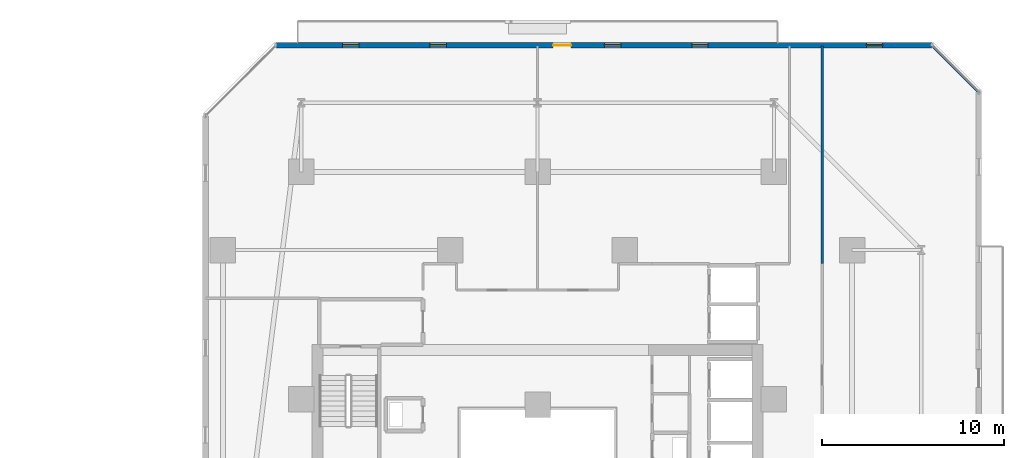
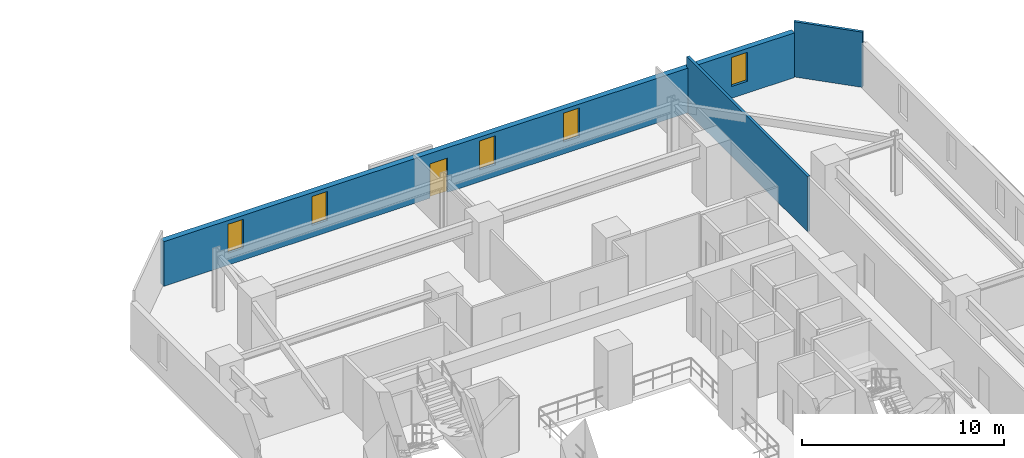
# One storey, part 27 of 34: 5 windows, 3 walls, 1 door, 6 openings.
"""IFC4 building model written with IfcOpenShell, lengths in metres."""

from ifc_helpers import new_model, si_unit, direction, frame, frame_2d, origin, place, context, subcontext, project, spatial, rectangle, extrude, material, layer, layer_set, type_object, element, fill, save


model = new_model("IFC4")

# Units and contexts
model_context = context("Model", 3, precision=1e-05, world=origin(), true_north=direction((0.0, 1.0)))
body_context = subcontext(model_context, "Body", "Model", "MODEL_VIEW")
ifc_project = project(units=[si_unit("LENGTHUNIT", "METRE"), si_unit("AREAUNIT", "SQUARE_METRE"), si_unit("VOLUMEUNIT", "CUBIC_METRE"), si_unit("PLANEANGLEUNIT", "RADIAN"), si_unit("MASSUNIT", "GRAM", prefix="KILO")], contexts=[model_context])

# Site, building, storey
site_placement = place(None, origin())
site = spatial("IfcSite", under=ifc_project, at=site_placement, CompositionType="ELEMENT")
building_placement = place(site_placement, origin())
building = spatial("IfcBuilding", under=site, at=building_placement, Name="Thornwick Lancets Civic Towers", CompositionType="ELEMENT")
storey_placement = place(building_placement, frame((0.0, 0.0, 53.699951171875)))
storey = spatial("IfcBuildingStorey", under=building, at=storey_placement, Name="L13", CompositionType="ELEMENT", Elevation=53.699951171875)

# Wall, openings, door, windows
ifc_material_1 = material(Name="Insulated buff terracotta rainscreen on concrete C40/50", Category="masonry")
ifc_layer_1 = layer(ifc_material_1, 0.320068359375, Name="Insulated buff terracotta rainscreen on concrete C40/50")
ifc_layer_set_1 = layer_set([ifc_layer_1], Name="Insulated buff terracotta rainscreen on concrete C40/50")
wall_type_1 = type_object("IfcWallType", Name="WALL_EXT_TERRA_320", PredefinedType="STANDARD", material=ifc_layer_set_1)
wall_1_placement = place(storey_placement, frame((110.18115234375, 51.264892578125, 0.0), z_axis=(0.0, 0.0, 1.0), x_axis=(-0.999999992574, -0.000121872777, 0.0)))
wall_1 = element("IfcWall", 1, at=wall_1_placement, inside=storey, type_object=wall_type_1, Name="L13 Tower B Terracotta Facade Wall E4", PredefinedType="STANDARD", context=body_context, shape_type="SweptSolid", body=[
    extrude(rectangle(XDim=36.058349609375, YDim=0.320068359375, at=frame_2d((18.029296875, 0.0))), origin(), (0.0, 0.0, 1.0), 2.699951171875),
])
opening_1_placement = place(wall_1_placement, frame((19.8291015625, 0.0, 0.0)))
opening_1 = element("IfcOpeningElement", 2, at=opening_1_placement, cuts=wall_1, Name="Opening D-BL-L13-BN", PredefinedType="OPENING", context=body_context, shape_type="SweptSolid", body=[
    extrude(rectangle(XDim=1.0, YDim=2.080078125, at=frame_2d((0.5, 1.0400390625))), frame((0.0, 0.169921875, 0.0), z_axis=(0.0, -1.0, 0.0), x_axis=(1.0, 0.0, 0.0)), (0.0, 0.0, 1.0), 0.340087890625),
])
opening_2_placement = place(wall_1_placement, frame((2.699951171875, 0.0, 0.719970703125)))
opening_2 = element("IfcOpeningElement", 3, at=opening_2_placement, cuts=wall_1, Name="Opening WL-01", PredefinedType="OPENING", context=body_context, shape_type="SweptSolid", body=[
    extrude(rectangle(XDim=0.89990234375, YDim=1.75, at=frame_2d((0.449951171875, 0.875))), frame((0.0, 0.169921875, 0.0), z_axis=(0.0, -1.0, 0.0), x_axis=(1.0, 0.0, 0.0)), (0.0, 0.0, 1.0), 0.340087890625),
])
opening_3_placement = place(wall_1_placement, frame((12.300048828125, 0.0, 0.719970703125)))
opening_3 = element("IfcOpeningElement", 4, at=opening_3_placement, cuts=wall_1, Name="Opening WL-01", PredefinedType="OPENING", context=body_context, shape_type="SweptSolid", body=[
    extrude(rectangle(XDim=0.89990234375, YDim=1.75, at=frame_2d((0.449951171875, 0.875))), frame((0.0, 0.169921875, 0.0), z_axis=(0.0, -1.0, 0.0), x_axis=(1.0, 0.0, 0.0)), (0.0, 0.0, 1.0), 0.340087890625),
])
opening_4_placement = place(wall_1_placement, frame((17.10009765625, 0.0, 0.719970703125)))
opening_4 = element("IfcOpeningElement", 5, at=opening_4_placement, cuts=wall_1, Name="Opening WL-01", PredefinedType="OPENING", context=body_context, shape_type="SweptSolid", body=[
    extrude(rectangle(XDim=0.89990234375, YDim=1.75, at=frame_2d((0.449951171875, 0.875))), frame((0.0, 0.169921875, 0.0), z_axis=(0.0, -1.0, 0.0), x_axis=(1.0, 0.0, 0.0)), (0.0, 0.0, 1.0), 0.340087890625),
])
opening_5_placement = place(wall_1_placement, frame((26.699951171875, 0.0, 0.719970703125)))
opening_5 = element("IfcOpeningElement", 6, at=opening_5_placement, cuts=wall_1, Name="Opening WL-01", PredefinedType="OPENING", context=body_context, shape_type="SweptSolid", body=[
    extrude(rectangle(XDim=0.89990234375, YDim=1.75, at=frame_2d((0.449951171875, 0.875))), frame((0.0, 0.169921875, 0.0), z_axis=(0.0, -1.0, 0.0), x_axis=(1.0, 0.0, 0.0)), (0.0, 0.0, 1.0), 0.340087890625),
])
opening_6_placement = place(wall_1_placement, frame((31.5, 0.0, 0.719970703125)))
opening_6 = element("IfcOpeningElement", 7, at=opening_6_placement, cuts=wall_1, Name="Opening WL-01", PredefinedType="OPENING", context=body_context, shape_type="SweptSolid", body=[
    extrude(rectangle(XDim=0.89990234375, YDim=1.75, at=frame_2d((0.449951171875, 0.875))), frame((0.0, 0.169921875, 0.0), z_axis=(0.0, -1.0, 0.0), x_axis=(1.0, 0.0, 0.0)), (0.0, 0.0, 1.0), 0.340087890625),
])
ifc_material_2 = material(Name="Thermally broken glazed loggia doorset")
door_type = type_object("IfcDoorType", Name="DOOR_BALC_1000", OperationType="NOTDEFINED", PredefinedType="DOOR", material=ifc_material_2)
door_placement = place(opening_1_placement, origin())
door = element("IfcDoor", 8, at=door_placement, inside=storey, type_object=door_type, Name="L13 Tower B Loggia Balcony Door N", OperationType="SINGLE_SWING_RIGHT", OverallHeight=2.080078125, OverallWidth=1.0, PredefinedType="DOOR", context=body_context, shape_type="SweptSolid", body=[
    extrude(rectangle(XDim=1.0, YDim=2.080078125, at=frame_2d((0.5, 1.0400390625))), frame((0.0, 0.02490234375, 0.0), z_axis=(0.0, -1.0, 0.0), x_axis=(1.0, 0.0, 0.0)), (0.0, 0.0, 1.0), 0.050048828125),
])
fill(opening_1, door)
ifc_material_3 = material(Name="Clear low-e double glazing in bronze frame", Category="glass")
window_type = type_object("IfcWindowType", Name="WIN_LANCET_900", PartitioningType="SINGLE_PANEL", PredefinedType="WINDOW", material=ifc_material_3)
window_1_placement = place(opening_2_placement, origin())
window_1 = element("IfcWindow", 9, at=window_1_placement, inside=storey, type_object=window_type, Name="L13 Tower B Staggered Lancet Window E4-1", OverallHeight=1.75, OverallWidth=0.89990234375, PartitioningType="SINGLE_PANEL", PredefinedType="WINDOW", context=body_context, shape_type="SweptSolid", body=[
    extrude(rectangle(XDim=0.89990234375, YDim=1.75, at=frame_2d((0.449951171875, 0.875))), frame((0.0, 0.030029296875, 0.0), z_axis=(0.0, -1.0, 0.0), x_axis=(1.0, 0.0, 0.0)), (0.0, 0.0, 1.0), 0.06005859375),
])
fill(opening_2, window_1)
window_2_placement = place(opening_3_placement, origin())
window_2 = element("IfcWindow", 10, at=window_2_placement, inside=storey, type_object=window_type, Name="L13 Tower B Staggered Lancet Window E4-2", OverallHeight=1.75, OverallWidth=0.89990234375, PartitioningType="SINGLE_PANEL", PredefinedType="WINDOW", context=body_context, shape_type="SweptSolid", body=[
    extrude(rectangle(XDim=0.89990234375, YDim=1.75, at=frame_2d((0.449951171875, 0.875))), frame((0.0, 0.030029296875, 0.0), z_axis=(0.0, -1.0, 0.0), x_axis=(1.0, 0.0, 0.0)), (0.0, 0.0, 1.0), 0.06005859375),
])
fill(opening_3, window_2)
window_3_placement = place(opening_4_placement, origin())
window_3 = element("IfcWindow", 11, at=window_3_placement, inside=storey, type_object=window_type, Name="L13 Tower B Staggered Lancet Window E4-3", OverallHeight=1.75, OverallWidth=0.89990234375, PartitioningType="SINGLE_PANEL", PredefinedType="WINDOW", context=body_context, shape_type="SweptSolid", body=[
    extrude(rectangle(XDim=0.89990234375, YDim=1.75, at=frame_2d((0.449951171875, 0.875))), frame((0.0, 0.030029296875, 0.0), z_axis=(0.0, -1.0, 0.0), x_axis=(1.0, 0.0, 0.0)), (0.0, 0.0, 1.0), 0.06005859375),
])
fill(opening_4, window_3)
window_4_placement = place(opening_5_placement, origin())
window_4 = element("IfcWindow", 12, at=window_4_placement, inside=storey, type_object=window_type, Name="L13 Tower B Staggered Lancet Window E4-4", OverallHeight=1.75, OverallWidth=0.89990234375, PartitioningType="SINGLE_PANEL", PredefinedType="WINDOW", context=body_context, shape_type="SweptSolid", body=[
    extrude(rectangle(XDim=0.89990234375, YDim=1.75, at=frame_2d((0.449951171875, 0.875))), frame((0.0, 0.030029296875, 0.0), z_axis=(0.0, -1.0, 0.0), x_axis=(1.0, 0.0, 0.0)), (0.0, 0.0, 1.0), 0.06005859375),
])
fill(opening_5, window_4)
window_5_placement = place(opening_6_placement, origin())
window_5 = element("IfcWindow", 13, at=window_5_placement, inside=storey, type_object=window_type, Name="L13 Tower B Staggered Lancet Window E4-5", OverallHeight=1.75, OverallWidth=0.89990234375, PartitioningType="SINGLE_PANEL", PredefinedType="WINDOW", context=body_context, shape_type="SweptSolid", body=[
    extrude(rectangle(XDim=0.89990234375, YDim=1.75, at=frame_2d((0.449951171875, 0.875))), frame((0.0, 0.030029296875, 0.0), z_axis=(0.0, -1.0, 0.0), x_axis=(1.0, 0.0, 0.0)), (0.0, 0.0, 1.0), 0.06005859375),
])
fill(opening_6, window_5)

# Walls
ifc_material_4 = material(Name="Twin-stud acoustic gypsum board")
ifc_layer_2 = layer(ifc_material_4, 0.14990234375, Name="Twin-stud acoustic gypsum board")
ifc_layer_set_2 = layer_set([ifc_layer_2], Name="Twin-stud acoustic gypsum board")
wall_type_2 = type_object("IfcWallType", Name="WALL_PART_150", PredefinedType="PARTITIONING", material=ifc_layer_set_2)
wall_2_placement = place(storey_placement, frame((104.14990234375, 39.25, 0.0), z_axis=(0.0, 0.0, 1.0), x_axis=(0.0, 1.0, 0.0)))
element("IfcWall", 14, at=wall_2_placement, inside=storey, type_object=wall_type_2, Name="L13 Partition L13-B-S-ARCH E2", PredefinedType="PARTITIONING", context=body_context, shape_type="SweptSolid", body=[
    extrude(rectangle(XDim=11.969970703125, YDim=0.14990234375, at=frame_2d((5.98486328125, 0.0))), origin(), (0.0, 0.0, 1.0), 3.340087890625),
])
wall_3_placement = place(storey_placement, frame((110.225341796875, 51.219970703125, 0.0), z_axis=(0.0, 0.0, 1.0), x_axis=(0.707106781187, -0.707106781187, 0.0)))
element("IfcWall", 15, at=wall_3_placement, inside=storey, type_object=wall_type_2, Name="L13 Partition L13-B-S-ARCH E4", PredefinedType="PARTITIONING", context=body_context, shape_type="SweptSolid", body=[
    extrude(rectangle(XDim=3.52783203125, YDim=0.14990234375, at=frame_2d((1.763916015625, 0.0))), origin(), (0.0, 0.0, 1.0), 3.340087890625),
])

save(model, "model.ifc")
